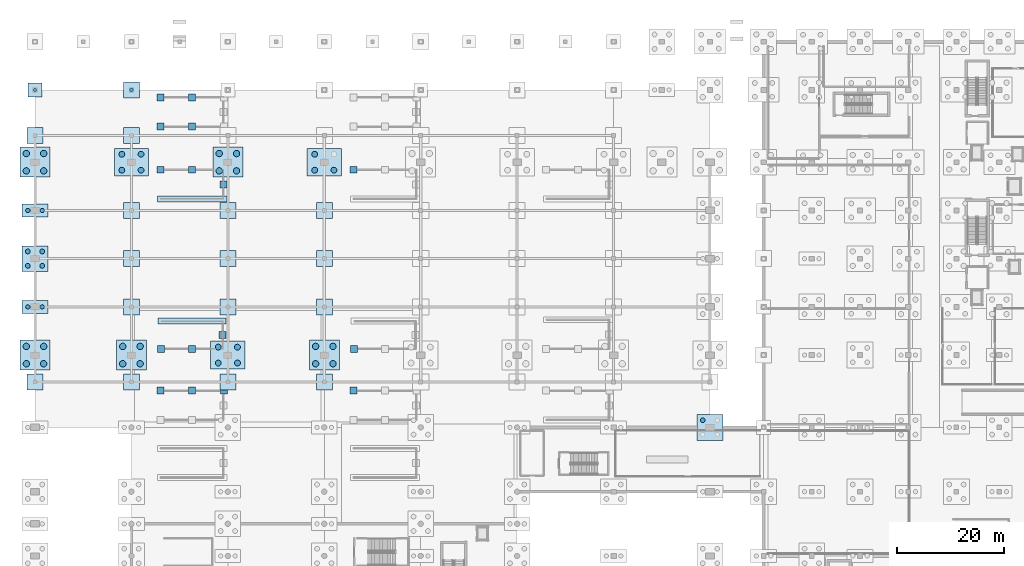
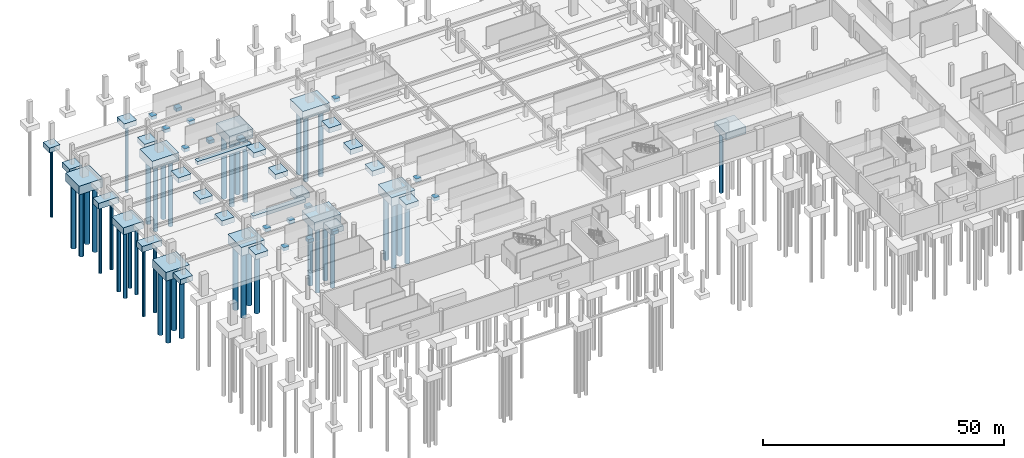
# One storey, part 3 of 26: 47 footings, 42 piles.
"""IFC4 building model written with IfcOpenShell, lengths in metres."""

from ifc_helpers import new_model, si_unit, direction, frame, origin, origin_2d, place, context, subcontext, project, spatial, polyline, circle, outline, extrude, material, material_profile, profile_set, type_object, element, save


model = new_model("IFC4")

# Units and contexts
model_context = context("Model", 3, precision=1e-05, world=origin(), true_north=direction((0.0, 1.0)))
body_context = subcontext(model_context, "Body", "Model", "MODEL_VIEW")
ifc_project = project(units=[si_unit("LENGTHUNIT", "METRE"), si_unit("AREAUNIT", "SQUARE_METRE"), si_unit("VOLUMEUNIT", "CUBIC_METRE"), si_unit("PLANEANGLEUNIT", "RADIAN"), si_unit("MASSUNIT", "GRAM", prefix="KILO")], contexts=[model_context])

# Site, building, storey
site_placement = place(None, origin())
site = spatial("IfcSite", under=ifc_project, at=site_placement, CompositionType="ELEMENT")
building_placement = place(site_placement, origin())
building = spatial("IfcBuilding", under=site, at=building_placement, Name="Chuanluo Vaults Station", CompositionType="ELEMENT")
storey_placement = place(building_placement, frame((0.0, 0.0, -5.39990234375)))
storey = spatial("IfcBuildingStorey", under=building, at=storey_placement, Name="B1", CompositionType="ELEMENT", Elevation=-5.39990234375)

# Footings
ifc_material_1 = material(Name="Concrete C40", Category="concrete")
footing_type_1 = type_object("IfcFootingType", Name="FTG-PAD-100", PredefinedType="PAD_FOOTING", material=ifc_material_1)
footing_1_placement = place(storey_placement, frame((0.0, 0.0, -0.85009765625)))
element("IfcFooting", 1, at=footing_1_placement, inside=storey, type_object=footing_type_1, Name="Stair shaft pad footing ST-07_R-1", PredefinedType="PAD_FOOTING", context=body_context, shape_type="SweptSolid", body=[
    extrude(outline(polyline([(34.60009765625, 60.199951171875), (35.89990234375, 60.199951171875), (35.89990234375, 60.97998046875), (34.60009765625, 60.97998046875), (34.60009765625, 60.199951171875)])), origin(), (0.0, 0.0, 1.0), 0.85009765625),
])
footing_2_placement = place(storey_placement, frame((0.0, 0.0, -0.85009765625)))
element("IfcFooting", 2, at=footing_2_placement, inside=storey, type_object=footing_type_1, Name="Stair shaft pad footing ST-07_R-2", PredefinedType="PAD_FOOTING", context=body_context, shape_type="SweptSolid", body=[
    extrude(outline(polyline([(28.6875, 60.199951171875), (29.987548828125, 60.199951171875), (29.987548828125, 61.5), (28.6875, 61.5), (28.6875, 60.199951171875)])), origin(), (0.0, 0.0, 1.0), 0.85009765625),
])
footing_3_placement = place(storey_placement, frame((0.0, 0.0, -0.85009765625)))
element("IfcFooting", 3, at=footing_3_placement, inside=storey, type_object=footing_type_1, Name="Stair shaft pad footing ST-07_R-3", PredefinedType="PAD_FOOTING", context=body_context, shape_type="SweptSolid", body=[
    extrude(outline(polyline([(22.77490234375, 60.199951171875), (24.074951171875, 60.199951171875), (24.074951171875, 61.5), (22.77490234375, 61.5), (22.77490234375, 60.199951171875)])), origin(), (0.0, 0.0, 1.0), 0.85009765625),
])
footing_4_placement = place(storey_placement, frame((0.0, 0.0, -0.85009765625)))
element("IfcFooting", 4, at=footing_4_placement, inside=storey, type_object=footing_type_1, Name="Stair shaft pad footing ST-08_R-3", PredefinedType="PAD_FOOTING", context=body_context, shape_type="SweptSolid", body=[
    extrude(outline(polyline([(58.77490234375, 60.199951171875), (60.074951171875, 60.199951171875), (60.074951171875, 61.5), (58.77490234375, 61.5), (58.77490234375, 60.199951171875)])), origin(), (0.0, 0.0, 1.0), 0.85009765625),
])
footing_5_placement = place(storey_placement, frame((0.0, 0.0, -0.85009765625)))
element("IfcFooting", 5, at=footing_5_placement, inside=storey, type_object=footing_type_1, Name="Stair shaft pad footing ST-10_L-1", PredefinedType="PAD_FOOTING", context=body_context, shape_type="SweptSolid", body=[
    extrude(outline(polyline([(22.89990234375, 68.0), (24.199951171875, 68.0), (24.199951171875, 69.300048828125), (22.89990234375, 69.300048828125), (22.89990234375, 68.0)])), origin(), (0.0, 0.0, 1.0), 0.85009765625),
])
footing_6_placement = place(storey_placement, frame((0.0, 0.0, -0.85009765625)))
element("IfcFooting", 6, at=footing_6_placement, inside=storey, type_object=footing_type_1, Name="Stair shaft pad footing ST-10_L-2", PredefinedType="PAD_FOOTING", context=body_context, shape_type="SweptSolid", body=[
    extrude(outline(polyline([(28.6875, 68.0), (29.987548828125, 68.0), (29.987548828125, 69.300048828125), (28.6875, 69.300048828125), (28.6875, 68.0)])), origin(), (0.0, 0.0, 1.0), 0.85009765625),
])
footing_7_placement = place(storey_placement, frame((0.0, 0.0, -0.85009765625)))
element("IfcFooting", 7, at=footing_7_placement, inside=storey, type_object=footing_type_1, Name="Stair shaft pad footing ST-10_F-2", PredefinedType="PAD_FOOTING", context=body_context, shape_type="SweptSolid", body=[
    extrude(outline(polyline([(34.375, 70.60009765625), (35.675048828125, 70.60009765625), (35.675048828125, 71.89990234375), (34.375, 71.89990234375), (34.375, 70.60009765625)])), origin(), (0.0, 0.0, 1.0), 0.85009765625),
])
footing_8_placement = place(storey_placement, frame((0.0, 0.0, -0.85009765625)))
element("IfcFooting", 8, at=footing_8_placement, inside=storey, type_object=footing_type_1, Name="Stair shaft pad footing ST-11_L-1", PredefinedType="PAD_FOOTING", context=body_context, shape_type="SweptSolid", body=[
    extrude(outline(polyline([(58.89990234375, 68.0), (60.199951171875, 68.0), (60.199951171875, 69.300048828125), (58.89990234375, 69.300048828125), (58.89990234375, 68.0)])), origin(), (0.0, 0.0, 1.0), 0.85009765625),
])
footing_9_placement = place(storey_placement, frame((0.0, 0.0, -0.85009765625)))
element("IfcFooting", 9, at=footing_9_placement, inside=storey, type_object=footing_type_1, Name="Stair shaft pad footing ST-13_R-2", PredefinedType="PAD_FOOTING", context=body_context, shape_type="SweptSolid", body=[
    extrude(outline(polyline([(28.6875, 101.449951171875), (29.987548828125, 101.449951171875), (29.987548828125, 102.75), (28.6875, 102.75), (28.6875, 101.449951171875)])), origin(), (0.0, 0.0, 1.0), 0.85009765625),
])
footing_10_placement = place(storey_placement, frame((0.0, 0.0, -0.85009765625)))
element("IfcFooting", 10, at=footing_10_placement, inside=storey, type_object=footing_type_1, Name="Stair shaft pad footing ST-13_R-3", PredefinedType="PAD_FOOTING", context=body_context, shape_type="SweptSolid", body=[
    extrude(outline(polyline([(22.77490234375, 101.449951171875), (24.074951171875, 101.449951171875), (24.074951171875, 102.75), (22.77490234375, 102.75), (22.77490234375, 101.449951171875)])), origin(), (0.0, 0.0, 1.0), 0.85009765625),
])
footing_11_placement = place(storey_placement, frame((0.0, 0.0, -0.85009765625)))
element("IfcFooting", 11, at=footing_11_placement, inside=storey, type_object=footing_type_1, Name="Stair shaft pad footing ST-13_F-2", PredefinedType="PAD_FOOTING", context=body_context, shape_type="SweptSolid", body=[
    extrude(outline(polyline([(34.5, 98.72509765625), (35.800048828125, 98.72509765625), (35.800048828125, 100.02490234375), (34.5, 100.02490234375), (34.5, 98.72509765625)])), origin(), (0.0, 0.0, 1.0), 0.85009765625),
])
footing_12_placement = place(storey_placement, frame((0.0, 0.0, -0.85009765625)))
element("IfcFooting", 12, at=footing_12_placement, inside=storey, type_object=footing_type_1, Name="Stair shaft pad footing ST-14_R-3", PredefinedType="PAD_FOOTING", context=body_context, shape_type="SweptSolid", body=[
    extrude(outline(polyline([(58.77490234375, 101.449951171875), (60.074951171875, 101.449951171875), (60.074951171875, 102.75), (58.77490234375, 102.75), (58.77490234375, 101.449951171875)])), origin(), (0.0, 0.0, 1.0), 0.85009765625),
])
footing_13_placement = place(storey_placement, frame((0.0, 0.0, -0.85009765625)))
element("IfcFooting", 13, at=footing_13_placement, inside=storey, type_object=footing_type_1, Name="Stair shaft pad footing ST-16_L-1", PredefinedType="PAD_FOOTING", context=body_context, shape_type="SweptSolid", body=[
    extrude(outline(polyline([(22.77490234375, 109.5), (24.074951171875, 109.5), (24.074951171875, 110.800048828125), (22.77490234375, 110.800048828125), (22.77490234375, 109.5)])), origin(), (0.0, 0.0, 1.0), 0.85009765625),
])
footing_14_placement = place(storey_placement, frame((0.0, 0.0, -0.85009765625)))
element("IfcFooting", 14, at=footing_14_placement, inside=storey, type_object=footing_type_1, Name="Stair shaft pad footing ST-16_L-2", PredefinedType="PAD_FOOTING", context=body_context, shape_type="SweptSolid", body=[
    extrude(outline(polyline([(28.6875, 109.5), (29.987548828125, 109.5), (29.987548828125, 110.800048828125), (28.6875, 110.800048828125), (28.6875, 109.5)])), origin(), (0.0, 0.0, 1.0), 0.85009765625),
])
footing_15_placement = place(storey_placement, frame((0.0, 0.0, -0.85009765625)))
element("IfcFooting", 15, at=footing_15_placement, inside=storey, type_object=footing_type_1, Name="Stair shaft pad footing ST-16_R-2", PredefinedType="PAD_FOOTING", context=body_context, shape_type="SweptSolid", body=[
    extrude(outline(polyline([(28.6875, 114.949951171875), (29.987548828125, 114.949951171875), (29.987548828125, 116.25), (28.6875, 116.25), (28.6875, 114.949951171875)])), origin(), (0.0, 0.0, 1.0), 0.85009765625),
])
footing_16_placement = place(storey_placement, frame((0.0, 0.0, -0.85009765625)))
element("IfcFooting", 16, at=footing_16_placement, inside=storey, type_object=footing_type_1, Name="Stair shaft pad footing ST-16_R-3", PredefinedType="PAD_FOOTING", context=body_context, shape_type="SweptSolid", body=[
    extrude(outline(polyline([(22.77490234375, 114.949951171875), (24.074951171875, 114.949951171875), (24.074951171875, 116.25), (22.77490234375, 116.25), (22.77490234375, 114.949951171875)])), origin(), (0.0, 0.0, 1.0), 0.85009765625),
])
ifc_material_2 = material(Name="Concrete C40", Category="concrete")
footing_type_2 = type_object("IfcFootingType", Name="FTG-PC-1", PredefinedType="PILE_CAP", material=ifc_material_2)
footing_17_placement = place(storey_placement, frame((0.0, 0.0, -2.2001953125)))
element("IfcFooting", 17, at=footing_17_placement, inside=storey, type_object=footing_type_2, Name="Pile cap PC-008", PredefinedType="PILE_CAP", context=body_context, shape_type="SweptSolid", body=[
    extrude(outline(polyline([(-2.800048828125, 64.699951171875), (2.800048828125, 64.699951171875), (2.800048828125, 70.300048828125), (-2.800048828125, 70.300048828125), (-2.800048828125, 64.699951171875)])), origin(), (0.0, 0.0, 1.0), 2.2001953125),
])
footing_18_placement = place(storey_placement, frame((0.0, 0.0, -2.2001953125)))
element("IfcFooting", 18, at=footing_18_placement, inside=storey, type_object=footing_type_2, Name="Pile cap PC-012", PredefinedType="PILE_CAP", context=body_context, shape_type="SweptSolid", body=[
    extrude(outline(polyline([(-2.800048828125, 100.699951171875), (2.800048828125, 100.699951171875), (2.800048828125, 106.300048828125), (-2.800048828125, 106.300048828125), (-2.800048828125, 100.699951171875)])), origin(), (0.0, 0.0, 1.0), 2.2001953125),
])
footing_19_placement = place(storey_placement, frame((0.0, 0.0, -2.2001953125)))
element("IfcFooting", 19, at=footing_19_placement, inside=storey, type_object=footing_type_2, Name="Pile cap PC-022", PredefinedType="PILE_CAP", context=body_context, shape_type="SweptSolid", body=[
    extrude(outline(polyline([(15.199951171875, 64.699951171875), (20.800048828125, 64.699951171875), (20.800048828125, 70.300048828125), (15.199951171875, 70.300048828125), (15.199951171875, 64.699951171875)])), origin(), (0.0, 0.0, 1.0), 2.2001953125),
])
footing_20_placement = place(storey_placement, frame((0.0, 0.0, -2.2001953125)))
element("IfcFooting", 20, at=footing_20_placement, inside=storey, type_object=footing_type_2, Name="Pile cap PC-032", PredefinedType="PILE_CAP", context=body_context, shape_type="SweptSolid", body=[
    extrude(outline(polyline([(33.199951171875, 100.699951171875), (38.800048828125, 100.699951171875), (38.800048828125, 106.300048828125), (33.199951171875, 106.300048828125), (33.199951171875, 100.699951171875)])), origin(), (0.0, 0.0, 1.0), 2.2001953125),
])
footing_21_placement = place(storey_placement, frame((0.0, 0.0, -2.2001953125)))
element("IfcFooting", 21, at=footing_21_placement, inside=storey, type_object=footing_type_2, Name="Pile cap PC-040", PredefinedType="PILE_CAP", context=body_context, shape_type="SweptSolid", body=[
    extrude(outline(polyline([(51.199951171875, 64.699951171875), (56.800048828125, 64.699951171875), (56.800048828125, 70.300048828125), (51.199951171875, 70.300048828125), (51.199951171875, 64.699951171875)])), origin(), (0.0, 0.0, 1.0), 2.2001953125),
])
ifc_material_3 = material(Name="Concrete C40", Category="concrete")
footing_type_3 = type_object("IfcFootingType", Name="FTG-PC-2", PredefinedType="PILE_CAP", material=ifc_material_3)
footing_22_placement = place(storey_placement, frame((0.0, 0.0, -1.800048828125)))
element("IfcFooting", 22, at=footing_22_placement, inside=storey, type_object=footing_type_3, Name="Pile cap PC-010", PredefinedType="PILE_CAP", context=body_context, shape_type="SweptSolid", body=[
    extrude(outline(polyline([(-2.39990234375, 83.10009765625), (2.39990234375, 83.10009765625), (2.39990234375, 87.89990234375), (-2.39990234375, 87.89990234375), (-2.39990234375, 83.10009765625)])), origin(), (0.0, 0.0, 1.0), 1.800048828125),
])
footing_23_placement = place(storey_placement, frame((0.0, 0.0, -2.800048828125)))
element("IfcFooting", 23, at=footing_23_placement, inside=storey, type_object=footing_type_3, Name="Pile cap PC-076", PredefinedType="PILE_CAP", context=body_context, shape_type="SweptSolid", body=[
    extrude(outline(polyline([(123.60009765625, 51.60009765625), (128.39990234375, 51.60009765625), (128.39990234375, 56.39990234375), (123.60009765625, 56.39990234375), (123.60009765625, 51.60009765625)])), origin(), (0.0, 0.0, 1.0), 1.800048828125),
])
ifc_material_4 = material(Name="Concrete C40", Category="concrete")
footing_type_4 = type_object("IfcFootingType", Name="FTG-PC-5", PredefinedType="PILE_CAP", material=ifc_material_4)
footing_24_placement = place(storey_placement, frame((0.0, 0.0, -1.300048828125)))
element("IfcFooting", 24, at=footing_24_placement, inside=storey, type_object=footing_type_4, Name="Pile cap PC-024", PredefinedType="PILE_CAP", context=body_context, shape_type="SweptSolid", body=[
    extrude(outline(polyline([(16.5, 115.5), (19.5, 115.5), (19.5, 118.5), (16.5, 118.5), (16.5, 115.5)])), origin(), (0.0, 0.0, 1.0), 1.300048828125),
])
footing_25_placement = place(storey_placement, frame((0.0, 0.0, -1.300048828125)))
element("IfcFooting", 25, at=footing_25_placement, inside=storey, type_object=footing_type_4, Name="Platform pier footing TRK-001", PredefinedType="PILE_CAP", context=body_context, shape_type="SweptSolid", body=[
    extrude(outline(polyline([(-1.5, 61.0), (1.5, 61.0), (1.5, 64.0), (-1.5, 64.0), (-1.5, 61.0)])), origin(), (0.0, 0.0, 1.0), 1.300048828125),
])
footing_26_placement = place(storey_placement, frame((0.0, 0.0, -1.300048828125)))
element("IfcFooting", 26, at=footing_26_placement, inside=storey, type_object=footing_type_4, Name="Platform pier footing TRK-003", PredefinedType="PILE_CAP", context=body_context, shape_type="SweptSolid", body=[
    extrude(outline(polyline([(16.5, 61.0), (19.5, 61.0), (19.5, 64.0), (16.5, 64.0), (16.5, 61.0)])), origin(), (0.0, 0.0, 1.0), 1.300048828125),
])
footing_27_placement = place(storey_placement, frame((0.0, 0.0, -1.300048828125)))
element("IfcFooting", 27, at=footing_27_placement, inside=storey, type_object=footing_type_4, Name="Platform pier footing TRK-005", PredefinedType="PILE_CAP", context=body_context, shape_type="SweptSolid", body=[
    extrude(outline(polyline([(34.5, 61.0), (37.5, 61.0), (37.5, 64.0), (34.5, 64.0), (34.5, 61.0)])), origin(), (0.0, 0.0, 1.0), 1.300048828125),
])
footing_28_placement = place(storey_placement, frame((0.0, 0.0, -1.300048828125)))
element("IfcFooting", 28, at=footing_28_placement, inside=storey, type_object=footing_type_4, Name="Platform pier footing TRK-007", PredefinedType="PILE_CAP", context=body_context, shape_type="SweptSolid", body=[
    extrude(outline(polyline([(52.5, 61.0), (55.5, 61.0), (55.5, 64.0), (52.5, 64.0), (52.5, 61.0)])), origin(), (0.0, 0.0, 1.0), 1.300048828125),
])
footing_29_placement = place(storey_placement, frame((0.0, 0.0, -1.300048828125)))
element("IfcFooting", 29, at=footing_29_placement, inside=storey, type_object=footing_type_4, Name="Platform pier footing TRK-017", PredefinedType="PILE_CAP", context=body_context, shape_type="SweptSolid", body=[
    extrude(outline(polyline([(16.5, 75.0), (19.5, 75.0), (19.5, 78.0), (16.5, 78.0), (16.5, 75.0)])), origin(), (0.0, 0.0, 1.0), 1.300048828125),
])
footing_30_placement = place(storey_placement, frame((0.0, 0.0, -1.300048828125)))
element("IfcFooting", 30, at=footing_30_placement, inside=storey, type_object=footing_type_4, Name="Platform pier footing TRK-019", PredefinedType="PILE_CAP", context=body_context, shape_type="SweptSolid", body=[
    extrude(outline(polyline([(34.5, 75.0), (37.5, 75.0), (37.5, 78.0), (34.5, 78.0), (34.5, 75.0)])), origin(), (0.0, 0.0, 1.0), 1.300048828125),
])
footing_31_placement = place(storey_placement, frame((0.0, 0.0, -1.300048828125)))
element("IfcFooting", 31, at=footing_31_placement, inside=storey, type_object=footing_type_4, Name="Platform pier footing TRK-021", PredefinedType="PILE_CAP", context=body_context, shape_type="SweptSolid", body=[
    extrude(outline(polyline([(52.5, 75.0), (55.5, 75.0), (55.5, 78.0), (52.5, 78.0), (52.5, 75.0)])), origin(), (0.0, 0.0, 1.0), 1.300048828125),
])
footing_32_placement = place(storey_placement, frame((0.0, 0.0, -1.300048828125)))
element("IfcFooting", 32, at=footing_32_placement, inside=storey, type_object=footing_type_4, Name="Platform pier footing TRK-029", PredefinedType="PILE_CAP", context=body_context, shape_type="SweptSolid", body=[
    extrude(outline(polyline([(16.5, 84.0), (19.5, 84.0), (19.5, 87.0), (16.5, 87.0), (16.5, 84.0)])), origin(), (0.0, 0.0, 1.0), 1.300048828125),
])
footing_33_placement = place(storey_placement, frame((0.0, 0.0, -1.300048828125)))
element("IfcFooting", 33, at=footing_33_placement, inside=storey, type_object=footing_type_4, Name="Platform pier footing TRK-031", PredefinedType="PILE_CAP", context=body_context, shape_type="SweptSolid", body=[
    extrude(outline(polyline([(34.5, 84.0), (37.5, 84.0), (37.5, 87.0), (34.5, 87.0), (34.5, 84.0)])), origin(), (0.0, 0.0, 1.0), 1.300048828125),
])
footing_34_placement = place(storey_placement, frame((0.0, 0.0, -1.300048828125)))
element("IfcFooting", 34, at=footing_34_placement, inside=storey, type_object=footing_type_4, Name="Platform pier footing TRK-033", PredefinedType="PILE_CAP", context=body_context, shape_type="SweptSolid", body=[
    extrude(outline(polyline([(52.5, 84.0), (55.5, 84.0), (55.5, 87.0), (52.5, 87.0), (52.5, 84.0)])), origin(), (0.0, 0.0, 1.0), 1.300048828125),
])
footing_35_placement = place(storey_placement, frame((0.0, 0.0, -1.300048828125)))
element("IfcFooting", 35, at=footing_35_placement, inside=storey, type_object=footing_type_4, Name="Platform pier footing TRK-041", PredefinedType="PILE_CAP", context=body_context, shape_type="SweptSolid", body=[
    extrude(outline(polyline([(16.5, 93.0), (19.5, 93.0), (19.5, 96.0), (16.5, 96.0), (16.5, 93.0)])), origin(), (0.0, 0.0, 1.0), 1.300048828125),
])
footing_36_placement = place(storey_placement, frame((0.0, 0.0, -1.300048828125)))
element("IfcFooting", 36, at=footing_36_placement, inside=storey, type_object=footing_type_4, Name="Platform pier footing TRK-043", PredefinedType="PILE_CAP", context=body_context, shape_type="SweptSolid", body=[
    extrude(outline(polyline([(34.5, 93.0), (37.5, 93.0), (37.5, 96.0), (34.5, 96.0), (34.5, 93.0)])), origin(), (0.0, 0.0, 1.0), 1.300048828125),
])
footing_37_placement = place(storey_placement, frame((0.0, 0.0, -1.300048828125)))
element("IfcFooting", 37, at=footing_37_placement, inside=storey, type_object=footing_type_4, Name="Platform pier footing TRK-045", PredefinedType="PILE_CAP", context=body_context, shape_type="SweptSolid", body=[
    extrude(outline(polyline([(52.5, 93.0), (55.5, 93.0), (55.5, 96.0), (52.5, 96.0), (52.5, 93.0)])), origin(), (0.0, 0.0, 1.0), 1.300048828125),
])
footing_38_placement = place(storey_placement, frame((0.0, 0.0, -1.300048828125)))
element("IfcFooting", 38, at=footing_38_placement, inside=storey, type_object=footing_type_4, Name="Platform pier footing TRK-053", PredefinedType="PILE_CAP", context=body_context, shape_type="SweptSolid", body=[
    extrude(outline(polyline([(-1.5, 107.0), (1.5, 107.0), (1.5, 110.0), (-1.5, 110.0), (-1.5, 107.0)])), origin(), (0.0, 0.0, 1.0), 1.300048828125),
])
footing_39_placement = place(storey_placement, frame((0.0, 0.0, -1.300048828125)))
element("IfcFooting", 39, at=footing_39_placement, inside=storey, type_object=footing_type_4, Name="Platform pier footing TRK-055", PredefinedType="PILE_CAP", context=body_context, shape_type="SweptSolid", body=[
    extrude(outline(polyline([(16.5, 107.0), (19.5, 107.0), (19.5, 110.0), (16.5, 110.0), (16.5, 107.0)])), origin(), (0.0, 0.0, 1.0), 1.300048828125),
])
ifc_material_5 = material(Name="Concrete C40", Category="concrete")
footing_type_5 = type_object("IfcFootingType", Name="FTG-PC-6", PredefinedType="PILE_CAP", material=ifc_material_5)
footing_40_placement = place(storey_placement, frame((0.0, 0.0, -1.2001953125)))
element("IfcFooting", 40, at=footing_40_placement, inside=storey, type_object=footing_type_5, Name="Pile cap PC-013", PredefinedType="PILE_CAP", context=body_context, shape_type="SweptSolid", body=[
    extrude(outline(polyline([(-1.300048828125, 115.699951171875), (1.300048828125, 115.699951171875), (1.300048828125, 118.300048828125), (-1.300048828125, 118.300048828125), (-1.300048828125, 115.699951171875)])), origin(), (0.0, 0.0, 1.0), 1.2001953125),
])
ifc_material_6 = material(Name="Concrete C40", Category="concrete")
footing_type_6 = type_object("IfcFootingType", Name="FTG-PC-7", PredefinedType="PILE_CAP", material=ifc_material_6)
footing_41_placement = place(storey_placement, frame((0.0, 0.0, -1.5)))
element("IfcFooting", 41, at=footing_41_placement, inside=storey, type_object=footing_type_6, Name="Pile cap PC-009", PredefinedType="PILE_CAP", context=body_context, shape_type="SweptSolid", body=[
    extrude(outline(polyline([(-2.39990234375, 75.300048828125), (2.39990234375, 75.300048828125), (2.39990234375, 77.699951171875), (-2.39990234375, 77.699951171875), (-2.39990234375, 75.300048828125)])), origin(), (0.0, 0.0, 1.0), 1.5),
])
footing_42_placement = place(storey_placement, frame((0.0, 0.0, -1.5)))
element("IfcFooting", 42, at=footing_42_placement, inside=storey, type_object=footing_type_6, Name="Pile cap PC-011", PredefinedType="PILE_CAP", context=body_context, shape_type="SweptSolid", body=[
    extrude(outline(polyline([(-2.39990234375, 93.300048828125), (2.39990234375, 93.300048828125), (2.39990234375, 95.699951171875), (-2.39990234375, 95.699951171875), (-2.39990234375, 93.300048828125)])), origin(), (0.0, 0.0, 1.0), 1.5),
])
ifc_material_7 = material(Name="Concrete C40", Category="concrete")
footing_type_7 = type_object("IfcFootingType", Name="FTG-PC-9", PredefinedType="PILE_CAP", material=ifc_material_7)
footing_43_placement = place(storey_placement, frame((0.0, 0.0, -2.10009765625)))
element("IfcFooting", 43, at=footing_43_placement, inside=storey, type_object=footing_type_7, Name="Pile cap PC-023", PredefinedType="PILE_CAP", context=body_context, shape_type="SweptSolid", body=[
    extrude(outline(polyline([(14.800048828125, 100.89990234375), (21.199951171875, 100.89990234375), (21.199951171875, 106.10009765625), (14.800048828125, 106.10009765625), (14.800048828125, 100.89990234375)])), origin(), (0.0, 0.0, 1.0), 2.10009765625),
])
footing_44_placement = place(storey_placement, frame((0.0, 0.0, -2.10009765625)))
element("IfcFooting", 44, at=footing_44_placement, inside=storey, type_object=footing_type_7, Name="Pile cap PC-031", PredefinedType="PILE_CAP", context=body_context, shape_type="SweptSolid", body=[
    extrude(outline(polyline([(32.800048828125, 64.89990234375), (39.199951171875, 64.89990234375), (39.199951171875, 70.10009765625), (32.800048828125, 70.10009765625), (32.800048828125, 64.89990234375)])), origin(), (0.0, 0.0, 1.0), 2.10009765625),
])
footing_45_placement = place(storey_placement, frame((0.0, 0.0, -2.10009765625)))
element("IfcFooting", 45, at=footing_45_placement, inside=storey, type_object=footing_type_7, Name="Pile cap PC-041", PredefinedType="PILE_CAP", context=body_context, shape_type="SweptSolid", body=[
    extrude(outline(polyline([(50.800048828125, 100.89990234375), (57.199951171875, 100.89990234375), (57.199951171875, 106.10009765625), (50.800048828125, 106.10009765625), (50.800048828125, 100.89990234375)])), origin(), (0.0, 0.0, 1.0), 2.10009765625),
])
ifc_material_8 = material(Name="Concrete C40", Category="concrete")
footing_type_8 = type_object("IfcFootingType", Name="FTG-SF-3", PredefinedType="STRIP_FOOTING", material=ifc_material_8)
footing_46_placement = place(storey_placement, frame((0.0, 0.0, -0.85009765625)))
element("IfcFooting", 46, at=footing_46_placement, inside=storey, type_object=footing_type_8, Name="Stair shaft strip footing ST-10_R", PredefinedType="STRIP_FOOTING", context=body_context, shape_type="SweptSolid", body=[
    extrude(outline(polyline([(23.0, 73.300048828125), (35.675048828125, 73.300048828125), (35.675048828125, 74.39990234375), (23.0, 74.39990234375), (23.0, 73.300048828125)])), origin(), (0.0, 0.0, 1.0), 0.85009765625),
])
footing_47_placement = place(storey_placement, frame((0.0, 0.0, -0.85009765625)))
element("IfcFooting", 47, at=footing_47_placement, inside=storey, type_object=footing_type_8, Name="Stair shaft strip footing ST-13_L", PredefinedType="STRIP_FOOTING", context=body_context, shape_type="SweptSolid", body=[
    extrude(outline(polyline([(22.875, 96.10009765625), (35.800048828125, 96.10009765625), (35.800048828125, 97.199951171875), (22.875, 97.199951171875), (22.875, 96.10009765625)])), origin(), (0.0, 0.0, 1.0), 0.85009765625),
])

# Piles
ifc_material_9 = material(Name="Concrete C40", Category="concrete")
ifc_material_profile_1 = material_profile(ifc_material_9, circle(Radius=0.550048828125, at=origin_2d()))
ifc_profile_set_1 = profile_set([ifc_material_profile_1], Name="Concrete C40")
pile_type_1 = type_object("IfcPileType", Name="PIL-1100", PredefinedType="BORED", material=ifc_profile_set_1)
for number, where, z_axis, x_axis, name in (
    (48, (16.2080078125, 102.014892578125, -1.97998046875), (0.0, 0.0, -1.0), (1.0, 0.0, 0.0), "Rock-socketed bored pile 055"),
    (49, (19.7919921875, 102.014892578125, -1.97998046875), (0.0, 0.0, -1.0), (1.0, 0.0, 0.0), "Rock-socketed bored pile 056"),
    (50, (16.2080078125, 104.985107421875, -1.97998046875), (0.0, 0.0, -1.0), (1.0, 0.0, 0.0), "Rock-socketed bored pile 057"),
    (51, (19.7919921875, 104.985107421875, -1.97998046875), (0.0, 0.0, -1.0), (1.0, 0.0, 0.0), "Rock-socketed bored pile 058"),
    (52, (34.2080078125, 66.014892578125, -1.97998046875), (0.0, 0.0, -1.0), (1.0, 0.0, 0.0), "Rock-socketed bored pile 077"),
    (53, (37.7919921875, 66.014892578125, -1.97998046875), (0.0, 0.0, -1.0), (1.0, 0.0, 0.0), "Rock-socketed bored pile 078"),
    (54, (34.2080078125, 68.985107421875, -1.97998046875), (0.0, 0.0, -1.0), (1.0, 0.0, 0.0), "Rock-socketed bored pile 079"),
    (55, (37.7919921875, 68.985107421875, -1.97998046875), (0.0, 0.0, -1.0), (1.0, 0.0, 0.0), "Rock-socketed bored pile 080"),
    (56, (52.2080078125, 102.014892578125, -1.97998046875), (0.0, 0.0, -1.0), (1.0, 0.0, 0.0), "Rock-socketed bored pile 105"),
    (57, (55.7919921875, 102.014892578125, -1.97998046875), (0.0, 0.0, -1.0), (1.0, 0.0, 0.0), "Rock-socketed bored pile 106"),
    (58, (52.2080078125, 104.985107421875, -1.97998046875), (0.0, 0.0, -1.0), (1.0, 0.0, 0.0), "Rock-socketed bored pile 107"),
):
    element("IfcPile", number, at=place(storey_placement, frame(where, z_axis=z_axis, x_axis=x_axis)), inside=storey, type_object=pile_type_1, Name=name, PredefinedType="BORED", context=body_context, shape_type="SweptSolid", body=[
        extrude(circle(Radius=0.550048828125, at=origin_2d()), origin(), (0.0, 0.0, 1.0), 16.6201171875),
    ])
ifc_material_10 = material(Name="Concrete C40", Category="concrete")
ifc_material_profile_2 = material_profile(ifc_material_10, circle(Radius=0.60009765625, at=origin_2d()))
ifc_profile_set_2 = profile_set([ifc_material_profile_2], Name="Concrete C40")
pile_type_2 = type_object("IfcPileType", Name="PIL-1200", PredefinedType="BORED", material=ifc_profile_set_2)
for number, where, z_axis, x_axis, name in (
    (59, (-1.6201171875, 65.8798828125, -2.080078125), (0.0, 0.0, -1.0), (1.0, 0.0, 0.0), "Rock-socketed bored pile 017"),
    (60, (1.6201171875, 65.8798828125, -2.080078125), (0.0, 0.0, -1.0), (1.0, 0.0, 0.0), "Rock-socketed bored pile 018"),
    (61, (-1.6201171875, 69.1201171875, -2.080078125), (0.0, 0.0, -1.0), (1.0, 0.0, 0.0), "Rock-socketed bored pile 019"),
    (62, (1.6201171875, 69.1201171875, -2.080078125), (0.0, 0.0, -1.0), (1.0, 0.0, 0.0), "Rock-socketed bored pile 020"),
    (63, (-1.6201171875, 101.8798828125, -2.080078125), (0.0, 0.0, -1.0), (1.0, 0.0, 0.0), "Rock-socketed bored pile 029"),
    (64, (1.6201171875, 101.8798828125, -2.080078125), (0.0, 0.0, -1.0), (1.0, 0.0, 0.0), "Rock-socketed bored pile 030"),
    (65, (-1.6201171875, 105.1201171875, -2.080078125), (0.0, 0.0, -1.0), (1.0, 0.0, 0.0), "Rock-socketed bored pile 031"),
    (66, (1.6201171875, 105.1201171875, -2.080078125), (0.0, 0.0, -1.0), (1.0, 0.0, 0.0), "Rock-socketed bored pile 032"),
    (67, (16.3798828125, 65.8798828125, -2.080078125), (0.0, 0.0, -1.0), (1.0, 0.0, 0.0), "Rock-socketed bored pile 051"),
    (68, (19.6201171875, 65.8798828125, -2.080078125), (0.0, 0.0, -1.0), (1.0, 0.0, 0.0), "Rock-socketed bored pile 052"),
    (69, (16.3798828125, 69.1201171875, -2.080078125), (0.0, 0.0, -1.0), (1.0, 0.0, 0.0), "Rock-socketed bored pile 053"),
    (70, (19.6201171875, 69.1201171875, -2.080078125), (0.0, 0.0, -1.0), (1.0, 0.0, 0.0), "Rock-socketed bored pile 054"),
    (71, (34.3798828125, 101.8798828125, -2.080078125), (0.0, 0.0, -1.0), (1.0, 0.0, 0.0), "Rock-socketed bored pile 081"),
    (72, (37.6201171875, 101.8798828125, -2.080078125), (0.0, 0.0, -1.0), (1.0, 0.0, 0.0), "Rock-socketed bored pile 082"),
    (73, (34.3798828125, 105.1201171875, -2.080078125), (0.0, 0.0, -1.0), (1.0, 0.0, 0.0), "Rock-socketed bored pile 083"),
    (74, (37.6201171875, 105.1201171875, -2.080078125), (0.0, 0.0, -1.0), (1.0, 0.0, 0.0), "Rock-socketed bored pile 084"),
    (75, (52.3798828125, 65.8798828125, -2.080078125), (0.0, 0.0, -1.0), (1.0, 0.0, 0.0), "Rock-socketed bored pile 101"),
    (76, (55.6201171875, 65.8798828125, -2.080078125), (0.0, 0.0, -1.0), (1.0, 0.0, 0.0), "Rock-socketed bored pile 102"),
    (77, (52.3798828125, 69.1201171875, -2.080078125), (0.0, 0.0, -1.0), (1.0, 0.0, 0.0), "Rock-socketed bored pile 103"),
    (78, (55.6201171875, 69.1201171875, -2.080078125), (0.0, 0.0, -1.0), (1.0, 0.0, 0.0), "Rock-socketed bored pile 104"),
):
    element("IfcPile", number, at=place(storey_placement, frame(where, z_axis=z_axis, x_axis=x_axis)), inside=storey, type_object=pile_type_2, Name=name, PredefinedType="BORED", context=body_context, shape_type="SweptSolid", body=[
        extrude(circle(Radius=0.60009765625, at=origin_2d()), origin(), (0.0, 0.0, 1.0), 16.52001953125),
    ])
ifc_material_11 = material(Name="Concrete C40", Category="concrete")
ifc_material_profile_3 = material_profile(ifc_material_11, circle(Radius=0.300048828125, at=origin_2d()))
ifc_profile_set_3 = profile_set([ifc_material_profile_3], Name="Concrete C40")
pile_type_3 = type_object("IfcPileType", Name="PIL-600", PredefinedType="BORED", material=ifc_profile_set_3)
pile_1_placement = place(storey_placement, frame((0.0, 117.0, -1.080078125), z_axis=(0.0, 0.0, -1.0), x_axis=(1.0, 0.0, 0.0)))
element("IfcPile", 79, at=pile_1_placement, inside=storey, type_object=pile_type_3, Name="Rock-socketed bored pile 033", PredefinedType="BORED", context=body_context, shape_type="SweptSolid", body=[
    extrude(circle(Radius=0.300048828125, at=origin_2d()), origin(), (0.0, 0.0, 1.0), 17.52001953125),
])
ifc_material_12 = material(Name="Concrete C40", Category="concrete")
ifc_material_profile_4 = material_profile(ifc_material_12, circle(Radius=0.35009765625, at=origin_2d()))
ifc_profile_set_4 = profile_set([ifc_material_profile_4], Name="Concrete C40")
pile_type_4 = type_object("IfcPileType", Name="PIL-700", PredefinedType="BORED", material=ifc_profile_set_4)
pile_2_placement = place(storey_placement, frame((18.0, 117.0, -1.18017578125), z_axis=(0.0, 0.0, -1.0), x_axis=(1.0, 0.0, 0.0)))
element("IfcPile", 80, at=pile_2_placement, inside=storey, type_object=pile_type_4, Name="Rock-socketed bored pile 059", PredefinedType="BORED", context=body_context, shape_type="SweptSolid", body=[
    extrude(circle(Radius=0.35009765625, at=origin_2d()), origin(), (0.0, 0.0, 1.0), 17.419921875),
])
ifc_material_13 = material(Name="Concrete C40", Category="concrete")
ifc_material_profile_5 = material_profile(ifc_material_13, circle(Radius=0.39990234375, at=origin_2d()))
ifc_profile_set_5 = profile_set([ifc_material_profile_5], Name="Concrete C40")
pile_type_5 = type_object("IfcPileType", Name="PIL-800", PredefinedType="BORED", material=ifc_profile_set_5)
for number, where, z_axis, x_axis, name in (
    (81, (-1.343994140625, 76.5, -1.380126953125), (0.0, 0.0, -1.0), (1.0, 0.0, 0.0), "Rock-socketed bored pile 021"),
    (82, (1.343994140625, 76.5, -1.380126953125), (0.0, 0.0, -1.0), (1.0, 0.0, 0.0), "Rock-socketed bored pile 022"),
    (83, (-1.343994140625, 94.5, -1.380126953125), (0.0, 0.0, -1.0), (1.0, 0.0, 0.0), "Rock-socketed bored pile 027"),
    (84, (1.343994140625, 94.5, -1.380126953125), (0.0, 0.0, -1.0), (1.0, 0.0, 0.0), "Rock-socketed bored pile 028"),
):
    element("IfcPile", number, at=place(storey_placement, frame(where, z_axis=z_axis, x_axis=x_axis)), inside=storey, type_object=pile_type_5, Name=name, PredefinedType="BORED", context=body_context, shape_type="SweptSolid", body=[
        extrude(circle(Radius=0.39990234375, at=origin_2d()), origin(), (0.0, 0.0, 1.0), 17.219970703125),
    ])
ifc_material_14 = material(Name="Concrete C40", Category="concrete")
ifc_material_profile_6 = material_profile(ifc_material_14, circle(Radius=0.449951171875, at=origin_2d()))
ifc_profile_set_6 = profile_set([ifc_material_profile_6], Name="Concrete C40")
pile_type_6 = type_object("IfcPileType", Name="PIL-900", PredefinedType="BORED", material=ifc_profile_set_6)
for number, where, z_axis, x_axis, name in (
    (85, (-1.343994140625, 84.156005859375, -1.68017578125), (0.0, 0.0, -1.0), (1.0, 0.0, 0.0), "Rock-socketed bored pile 023"),
    (86, (1.343994140625, 84.156005859375, -1.68017578125), (0.0, 0.0, -1.0), (1.0, 0.0, 0.0), "Rock-socketed bored pile 024"),
    (87, (-1.343994140625, 86.843994140625, -1.68017578125), (0.0, 0.0, -1.0), (1.0, 0.0, 0.0), "Rock-socketed bored pile 025"),
    (88, (1.343994140625, 86.843994140625, -1.68017578125), (0.0, 0.0, -1.0), (1.0, 0.0, 0.0), "Rock-socketed bored pile 026"),
):
    element("IfcPile", number, at=place(storey_placement, frame(where, z_axis=z_axis, x_axis=x_axis)), inside=storey, type_object=pile_type_6, Name=name, PredefinedType="BORED", context=body_context, shape_type="SweptSolid", body=[
        extrude(circle(Radius=0.449951171875, at=origin_2d()), origin(), (0.0, 0.0, 1.0), 16.919921875),
    ])
pile_3_placement = place(storey_placement, frame((124.656005859375, 55.343994140625, -2.68017578125), z_axis=(0.0, 0.0, -1.0), x_axis=(1.0, 0.0, 0.0)))
element("IfcPile", 89, at=pile_3_placement, inside=storey, type_object=pile_type_6, Name="Rock-socketed bored pile 203", PredefinedType="BORED", context=body_context, shape_type="SweptSolid", body=[
    extrude(circle(Radius=0.449951171875, at=origin_2d()), origin(), (0.0, 0.0, 1.0), 15.919921875),
])

save(model, "model.ifc")
